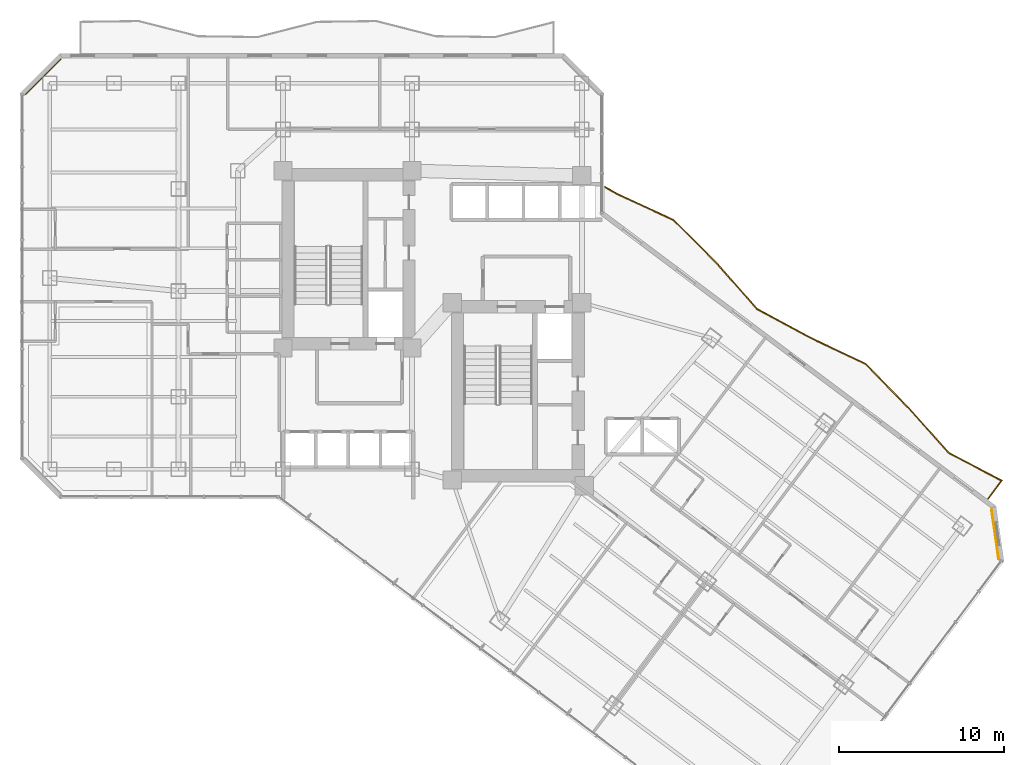
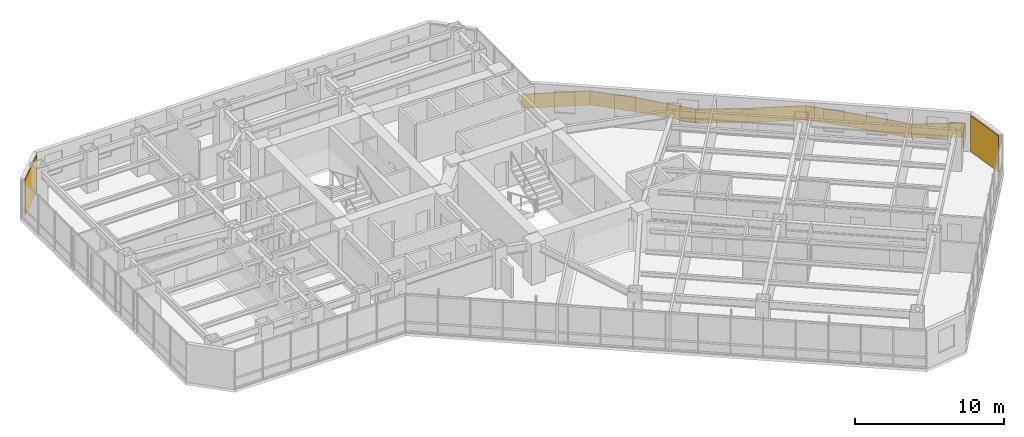
# One storey, part 34 of 36: 2 coverings, 1 railing.
"""IFC4 building model written with IfcOpenShell, lengths in metres."""

from ifc_helpers import new_model, si_unit, direction, frame, origin, origin_2d, place, context, subcontext, project, spatial, polyline, rectangle, outline, extrude, material, layer, layer_set, type_object, element, save


model = new_model("IFC4")

# Units and contexts
model_context = context("Model", 3, precision=1e-05, world=origin(), true_north=direction((0.0, 1.0)))
body_context = subcontext(model_context, "Body", "Model", "MODEL_VIEW")
ifc_project = project(units=[si_unit("LENGTHUNIT", "METRE"), si_unit("AREAUNIT", "SQUARE_METRE"), si_unit("VOLUMEUNIT", "CUBIC_METRE"), si_unit("PLANEANGLEUNIT", "RADIAN"), si_unit("MASSUNIT", "GRAM", prefix="KILO")], contexts=[model_context])

# Site, building, storey
site_placement = place(None, origin())
site = spatial("IfcSite", under=ifc_project, at=site_placement, CompositionType="ELEMENT")
building_placement = place(site_placement, origin())
building = spatial("IfcBuilding", under=site, at=building_placement, Name="Hatsunagi Terrace Concourse", CompositionType="ELEMENT")
storey_placement = place(building_placement, frame((0.0, 0.0, 84.64990234375)))
storey = spatial("IfcBuildingStorey", under=building, at=storey_placement, Name="L22", CompositionType="ELEMENT", Elevation=84.64990234375)

# Railing
ifc_material_1 = material(Name="Laminated Glass and Stainless Steel Guard", Category="steel")
ifc_layer_1 = layer(ifc_material_1, 0.070068359375)
ifc_layer_set_1 = layer_set([ifc_layer_1], Name="BalconyGlassGuardRail_1150")
railing_type = type_object("IfcRailingType", Name="BalconyGlassGuardRail_1150", PredefinedType="BALUSTRADE", material=ifc_layer_set_1)
railing_placement = place(storey_placement, origin())
element("IfcRailing", 1, at=railing_placement, inside=storey, type_object=railing_type, Name="Engawa Balcony Guard GRD-01 L22-BSE-1", PredefinedType="BALUSTRADE", context=body_context, shape_type="SweptSolid", body=[
    extrude(outline(polyline([(45.06298828125, 42.344482421875), (45.029052734375, 42.283447265625), (45.835205078125, 41.833740234375), (49.19677734375, 40.27880859375), (51.779541015625, 37.697021484375), (54.23779296875, 34.899169921875), (57.484130859375, 33.143798828125), (60.826416015625, 31.56494140625), (63.38232421875, 28.947021484375), (65.863037109375, 26.175048828125), (69.04541015625, 24.501220703125), (68.241943359375, 23.430908203125), (68.298095703125, 23.388916015625), (69.150634765625, 24.52490234375), (65.906982421875, 26.23095703125), (63.43359375, 28.994873046875), (60.86767578125, 31.623046875), (57.515869140625, 33.206298828125), (54.2822265625, 34.954833984375), (51.83056640625, 37.7451171875), (49.2373046875, 40.337158203125), (45.866943359375, 41.896240234375), (45.06298828125, 42.344482421875)])), origin(), (0.0, 0.0, 1.0), 1.150146484375),
])

# Coverings
ifc_material_2 = material(Name="Unglazed Warm Terracotta Rainscreen Tile", Category="masonry")
ifc_layer_2 = layer(ifc_material_2, 0.044921875)
ifc_layer_set_2 = layer_set([ifc_layer_2], Name="TerracottaRainscreenCladding_45")
covering_type = type_object("IfcCoveringType", Name="TerracottaRainscreenCladding_45", PredefinedType="CLADDING", material=ifc_layer_set_2)
for number, where, z_axis, x_axis, name in (
    (2, (68.700927734375, 21.258056640625, 0.10009765625), (0.0, 0.0, 1.0), (0.141250262458, -0.989973920543, 0.0), "Terracotta Rainscreen Cladding L22-02"),
    (3, (11.013916015625, 48.986083984375, 0.10009765625), (0.0, 0.0, 1.0), (0.707106781187, 0.707106781187, 0.0), "Terracotta Rainscreen Cladding L22-10"),
):
    element("IfcCovering", number, at=place(storey_placement, frame(where, z_axis=z_axis, x_axis=x_axis)), inside=storey, type_object=covering_type, Name=name, PredefinedType="CLADDING", context=body_context, shape_type="SweptSolid", body=[
        extrude(rectangle(XDim=3.0380859375, YDim=0.044921875, at=origin_2d()), origin(), (0.0, 0.0, 1.0), 2.929931640625),
    ])

save(model, "model.ifc")
